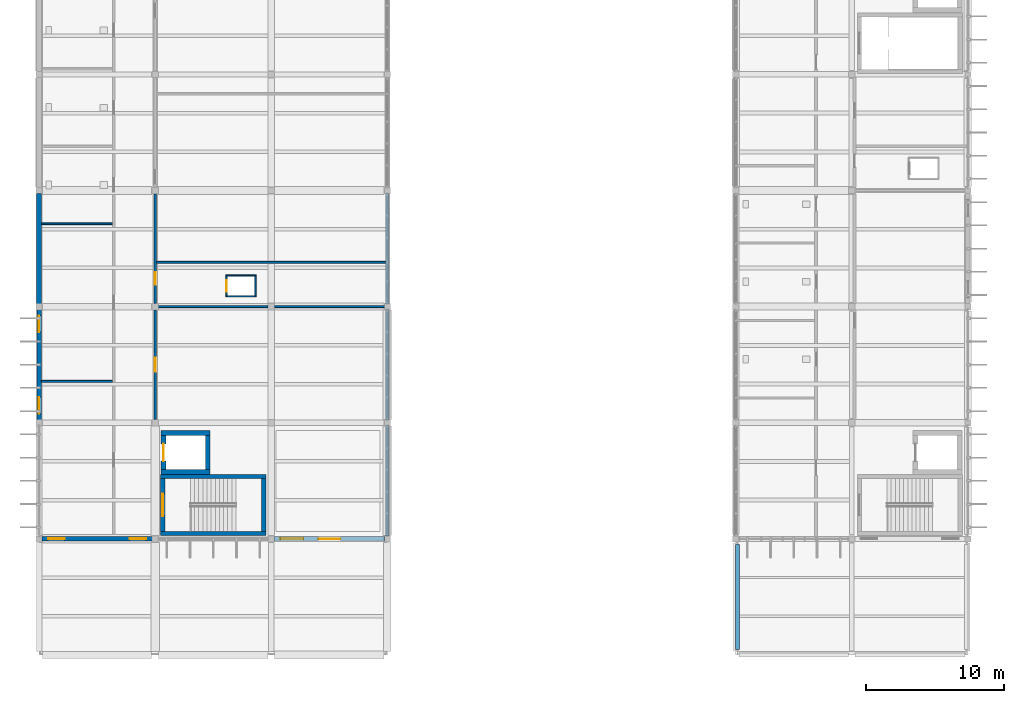
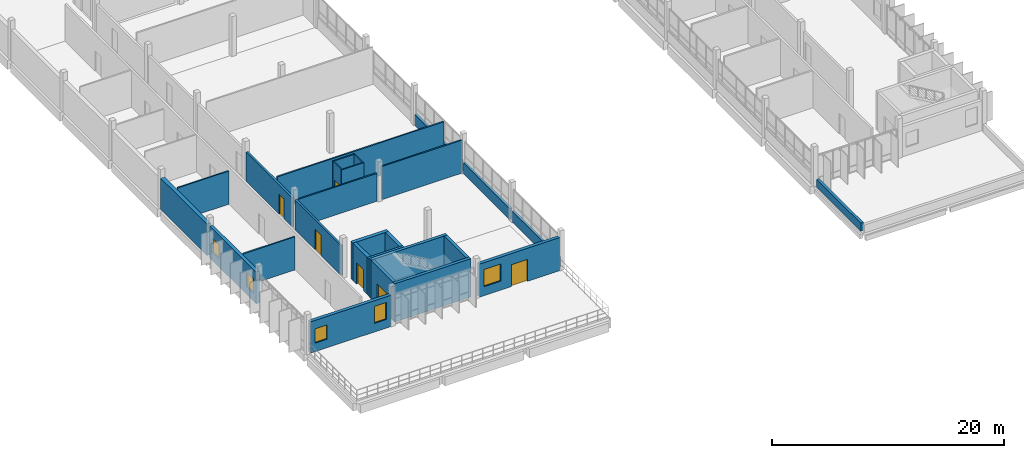
# One storey, part 50 of 62: 27 walls, 6 doors, 5 windows, 11 openings.
"""IFC4 building model written with IfcOpenShell, lengths in metres."""

from ifc_helpers import new_model, si_unit, direction, frame, frame_2d, origin, place, context, subcontext, project, spatial, rectangle, extrude, material, layer, layer_set, type_object, element, fill, save


model = new_model("IFC4")

# Units and contexts
model_context = context("Model", 3, precision=1e-05, world=origin(), true_north=direction((0.0, 1.0)))
body_context = subcontext(model_context, "Body", "Model", "MODEL_VIEW")
ifc_project = project(units=[si_unit("LENGTHUNIT", "METRE"), si_unit("AREAUNIT", "SQUARE_METRE"), si_unit("VOLUMEUNIT", "CUBIC_METRE"), si_unit("PLANEANGLEUNIT", "RADIAN"), si_unit("MASSUNIT", "GRAM", prefix="KILO")], contexts=[model_context])

# Site, building, storey
site_placement = place(None, origin())
site = spatial("IfcSite", under=ifc_project, at=site_placement, CompositionType="ELEMENT")
building_placement = place(site_placement, origin())
building = spatial("IfcBuilding", under=site, at=building_placement, Name="Vireocrest Preparatory School", CompositionType="ELEMENT")
storey_placement = place(building_placement, frame((0.0, 0.0, 17.39990234375)))
storey = spatial("IfcBuildingStorey", under=building, at=storey_placement, Name="L04", CompositionType="ELEMENT", Elevation=17.39990234375)

# Walls
ifc_material_1 = material(Name="Gypsum board on cold-formed steel studs", Category="steel")
ifc_layer_1 = layer(ifc_material_1, 0.139892578125)
ifc_layer_set_1 = layer_set([ifc_layer_1], Name="Gypsum board on cold-formed steel studs")
wall_type_1 = type_object("IfcWallType", Name="Classroom Acoustic Partition Wall 140", PredefinedType="PARTITIONING", material=ifc_layer_set_1)
wall_1_placement = place(storey_placement, frame((42.1650390625, 55.199951171875, 0.0), z_axis=(0.0, 0.0, 1.0), x_axis=(1.0, 0.0, 0.0)))
element("IfcWall", 1, at=wall_1_placement, inside=storey, type_object=wall_type_1, Name="Interior Partition W03 IW_L04_0290", PredefinedType="PARTITIONING", context=body_context, shape_type="SweptSolid", body=[
    extrude(rectangle(XDim=5.1298828125, YDim=0.139892578125, at=frame_2d((2.56494140625, 0.0))), origin(), (0.0, 0.0, 1.0), 3.489990234375),
])
wall_2_placement = place(storey_placement, frame((42.195068359375, 66.60009765625, 0.0), z_axis=(0.0, 0.0, 1.0), x_axis=(1.0, 0.0, 0.0)))
element("IfcWall", 2, at=wall_2_placement, inside=storey, type_object=wall_type_1, Name="Interior Partition W03 IW_L04_0291", PredefinedType="PARTITIONING", context=body_context, shape_type="SweptSolid", body=[
    extrude(rectangle(XDim=5.099853515625, YDim=0.139892578125, at=frame_2d((2.5498046875, 0.0))), origin(), (0.0, 0.0, 1.0), 3.489990234375),
])
wall_3_placement = place(storey_placement, frame((50.5048828125, 60.60009765625, 0.0), z_axis=(0.0, 0.0, 1.0), x_axis=(1.0, 0.0, 0.0)))
element("IfcWall", 3, at=wall_3_placement, inside=storey, type_object=wall_type_1, Name="Interior Partition W03 IW_L04_0296", PredefinedType="PARTITIONING", context=body_context, shape_type="SweptSolid", body=[
    extrude(rectangle(XDim=8.06005859375, YDim=0.139892578125, at=frame_2d((4.030029296875, 0.0))), origin(), (0.0, 0.0, 1.0), 2.940185546875),
])
wall_4_placement = place(storey_placement, frame((59.034912109375, 60.60009765625, 0.0), z_axis=(0.0, 0.0, 1.0), x_axis=(1.0, 0.0, 0.0)))
element("IfcWall", 4, at=wall_4_placement, inside=storey, type_object=wall_type_1, Name="Interior Partition W03 IW_L04_0297", PredefinedType="PARTITIONING", context=body_context, shape_type="SweptSolid", body=[
    extrude(rectangle(XDim=8.0400390625, YDim=0.139892578125, at=frame_2d((4.02001953125, 0.0))), origin(), (0.0, 0.0, 1.0), 3.47998046875),
])
wall_5_placement = place(storey_placement, frame((50.5048828125, 63.800048828125, 0.0), z_axis=(0.0, 0.0, 1.0), x_axis=(1.0, 0.0, 0.0)))
element("IfcWall", 5, at=wall_5_placement, inside=storey, type_object=wall_type_1, Name="Interior Partition W03 IW_L04_0298", PredefinedType="PARTITIONING", context=body_context, shape_type="SweptSolid", body=[
    extrude(rectangle(XDim=16.570068359375, YDim=0.139892578125, at=frame_2d((8.28515625, 0.0))), origin(), (0.0, 0.0, 1.0), 3.451171875),
])

# Wall, opening, door
ifc_layer_2 = layer(ifc_material_1, 0.199951171875)
ifc_layer_set_2 = layer_set([ifc_layer_2], Name="Gypsum board on cold-formed steel studs")
wall_type_2 = type_object("IfcWallType", Name="Corridor One-Hour Fire Partition 200", PredefinedType="PARTITIONING", material=ifc_layer_set_2)
wall_6_placement = place(storey_placement, frame((50.39990234375, 52.43505859375, 0.0), z_axis=(0.0, 0.0, 1.0), x_axis=(0.0, 1.0, 0.0)))
wall_6 = element("IfcWall", 6, at=wall_6_placement, inside=storey, type_object=wall_type_2, Name="Interior Partition W06 IW_L04_0301", PredefinedType="PARTITIONING", context=body_context, shape_type="SweptSolid", body=[
    extrude(rectangle(XDim=7.929931640625, YDim=0.199951171875, at=frame_2d((3.96484375, 0.0))), origin(), (0.0, 0.0, 1.0), 3.14013671875),
])
opening_1_placement = place(wall_6_placement, frame((3.465087890625, 0.0, 0.0)))
opening_1 = element("IfcOpeningElement", 7, at=opening_1_placement, cuts=wall_6, Name="Opening D-L04-W4E01", PredefinedType="OPENING", context=body_context, shape_type="SweptSolid", body=[
    extrude(rectangle(XDim=1.0, YDim=2.14990234375, at=frame_2d((0.5, 1.074951171875))), frame((0.0, 0.10986328125, 0.0), z_axis=(0.0, -1.0, 0.0), x_axis=(1.0, 0.0, 0.0)), (0.0, 0.0, 1.0), 0.219970703125),
])
ifc_material_2 = material(Name="Solid-core architectural birch timber", Category="wood")
door_type_1 = type_object("IfcDoorType", Name="Classroom Acoustic Timber Door 1000x2150", OperationType="NOTDEFINED", PredefinedType="DOOR", material=ifc_material_2)
door_1_placement = place(opening_1_placement, origin())
door_1 = element("IfcDoor", 8, at=door_1_placement, inside=storey, type_object=door_type_1, Name="Interior Door D-L04-W4E01", OperationType="SINGLE_SWING_RIGHT", OverallHeight=2.14990234375, OverallWidth=1.0, PredefinedType="DOOR", context=body_context, shape_type="SweptSolid", body=[
    extrude(rectangle(XDim=1.0, YDim=2.14990234375, at=frame_2d((0.5, 1.074951171875))), frame((0.0, 0.02490234375, 0.0), z_axis=(0.0, -1.0, 0.0), x_axis=(1.0, 0.0, 0.0)), (0.0, 0.0, 1.0), 0.050048828125),
])
fill(opening_1, door_1)

wall_7_placement = place(storey_placement, frame((50.39990234375, 60.8349609375, 0.0), z_axis=(0.0, 0.0, 1.0), x_axis=(0.0, 1.0, 0.0)))
wall_7 = element("IfcWall", 9, at=wall_7_placement, inside=storey, type_object=wall_type_2, Name="Interior Partition W06 IW_L04_0302", PredefinedType="PARTITIONING", context=body_context, shape_type="SweptSolid", body=[
    extrude(rectangle(XDim=7.929931640625, YDim=0.199951171875, at=frame_2d((3.96484375, 0.0))), origin(), (0.0, 0.0, 1.0), 3.090087890625),
])
opening_2_placement = place(wall_7_placement, frame((1.364990234375, 0.0, 0.0)))
opening_2 = element("IfcOpeningElement", 10, at=opening_2_placement, cuts=wall_7, Name="Opening D-L04-W4E02", PredefinedType="OPENING", context=body_context, shape_type="SweptSolid", body=[
    extrude(rectangle(XDim=0.89990234375, YDim=2.10009765625, at=frame_2d((0.449951171875, 1.050048828125))), frame((0.0, 0.10986328125, 0.0), z_axis=(0.0, -1.0, 0.0), x_axis=(1.0, 0.0, 0.0)), (0.0, 0.0, 1.0), 0.219970703125),
])
door_type_2 = type_object("IfcDoorType", Name="Office Timber Door 900x2100", OperationType="NOTDEFINED", PredefinedType="DOOR", material=ifc_material_2)
door_2_placement = place(opening_2_placement, origin())
door_2 = element("IfcDoor", 11, at=door_2_placement, inside=storey, type_object=door_type_2, Name="Interior Door D-L04-W4E02", OperationType="SINGLE_SWING_LEFT", OverallHeight=2.10009765625, OverallWidth=0.89990234375, PredefinedType="DOOR", context=body_context, shape_type="SweptSolid", body=[
    extrude(rectangle(XDim=0.89990234375, YDim=2.10009765625, at=frame_2d((0.449951171875, 1.050048828125))), frame((0.0, 0.02490234375, 0.0), z_axis=(0.0, -1.0, 0.0), x_axis=(1.0, 0.0, 0.0)), (0.0, 0.0, 1.0), 0.050048828125),
])
fill(opening_2, door_2)

# Wall, openings, windows
ifc_material_3 = material(Name="Precast white concrete 40 MPa", Category="concrete")
ifc_layer_3 = layer(ifc_material_3, 0.320068359375)
ifc_layer_set_3 = layer_set([ifc_layer_3], Name="Precast white concrete 40 MPa")
wall_type_3 = type_object("IfcWallType", Name="High-Tech Insulated Rainscreen External Wall 320", PredefinedType="SOLIDWALL", material=ifc_layer_set_3)
wall_8_placement = place(storey_placement, frame((42.0, 52.39990234375, 0.0), z_axis=(0.0, 0.0, 1.0), x_axis=(0.0, 1.0, 0.0)))
wall_8 = element("IfcWall", 12, at=wall_8_placement, inside=storey, type_object=wall_type_3, Name="External Wall W12 EW_L04_0369", PredefinedType="SOLIDWALL", context=body_context, shape_type="SweptSolid", body=[
    extrude(rectangle(XDim=8.0, YDim=0.320068359375, at=frame_2d((4.0, 0.0))), origin(), (0.0, 0.0, 1.0), 3.340087890625),
])
opening_3_placement = place(wall_8_placement, frame((0.449951171875, 0.0, 0.85009765625)))
opening_3 = element("IfcOpeningElement", 13, at=opening_3_placement, cuts=wall_8, Name="Opening WN01", PredefinedType="OPENING", context=body_context, shape_type="SweptSolid", body=[
    extrude(rectangle(XDim=1.199951171875, YDim=1.5, at=frame_2d((0.60009765625, 0.75))), frame((0.0, 0.169921875, 0.0), z_axis=(0.0, -1.0, 0.0), x_axis=(1.0, 0.0, 0.0)), (0.0, 0.0, 1.0), 0.340087890625),
])
opening_4_placement = place(wall_8_placement, frame((6.35009765625, 0.0, 0.85009765625)))
opening_4 = element("IfcOpeningElement", 14, at=opening_4_placement, cuts=wall_8, Name="Opening WN01", PredefinedType="OPENING", context=body_context, shape_type="SweptSolid", body=[
    extrude(rectangle(XDim=1.199951171875, YDim=1.5, at=frame_2d((0.60009765625, 0.75))), frame((0.0, 0.169921875, 0.0), z_axis=(0.0, -1.0, 0.0), x_axis=(1.0, 0.0, 0.0)), (0.0, 0.0, 1.0), 0.340087890625),
])
ifc_material_4 = material(Name="Thermally broken aluminium EN AW-6063-T6", Category="aluminium")
window_type_1 = type_object("IfcWindowType", Name="Office Punched Window 1200x1500", PartitioningType="SINGLE_PANEL", PredefinedType="WINDOW", material=ifc_material_4)
window_1_placement = place(opening_3_placement, origin())
window_1 = element("IfcWindow", 15, at=window_1_placement, inside=storey, type_object=window_type_1, Name="Window W-L04-187 (WN01)", OverallHeight=1.5, OverallWidth=1.199951171875, PartitioningType="SINGLE_PANEL", PredefinedType="WINDOW", context=body_context, shape_type="SweptSolid", body=[
    extrude(rectangle(XDim=1.199951171875, YDim=1.5, at=frame_2d((0.60009765625, 0.75))), frame((0.0, 0.030029296875, 0.0), z_axis=(0.0, -1.0, 0.0), x_axis=(1.0, 0.0, 0.0)), (0.0, 0.0, 1.0), 0.06005859375),
])
fill(opening_3, window_1)
window_2_placement = place(opening_4_placement, origin())
window_2 = element("IfcWindow", 16, at=window_2_placement, inside=storey, type_object=window_type_1, Name="Window W-L04-188 (WN01)", OverallHeight=1.5, OverallWidth=1.199951171875, PartitioningType="SINGLE_PANEL", PredefinedType="WINDOW", context=body_context, shape_type="SweptSolid", body=[
    extrude(rectangle(XDim=1.199951171875, YDim=1.5, at=frame_2d((0.60009765625, 0.75))), frame((0.0, 0.030029296875, 0.0), z_axis=(0.0, -1.0, 0.0), x_axis=(1.0, 0.0, 0.0)), (0.0, 0.0, 1.0), 0.06005859375),
])
fill(opening_4, window_2)

wall_9_placement = place(storey_placement, frame((42.199951171875, 43.800048828125, 0.0), z_axis=(0.0, 0.0, 1.0), x_axis=(1.0, 0.0, 0.0)))
wall_9 = element("IfcWall", 17, at=wall_9_placement, inside=storey, type_object=wall_type_3, Name="External Wall W12 EW_L04_0373", PredefinedType="SOLIDWALL", context=body_context, shape_type="SweptSolid", body=[
    extrude(rectangle(XDim=8.0, YDim=0.320068359375, at=frame_2d((4.0, 0.0))), origin(), (0.0, 0.0, 1.0), 3.2900390625),
])
opening_5_placement = place(wall_9_placement, frame((0.449951171875, 0.0, 0.89990234375)))
opening_5 = element("IfcOpeningElement", 18, at=opening_5_placement, cuts=wall_9, Name="Opening WN01", PredefinedType="OPENING", context=body_context, shape_type="SweptSolid", body=[
    extrude(rectangle(XDim=1.199951171875, YDim=1.5, at=frame_2d((0.60009765625, 0.75))), frame((0.0, 0.169921875, 0.0), z_axis=(0.0, -1.0, 0.0), x_axis=(1.0, 0.0, 0.0)), (0.0, 0.0, 1.0), 0.340087890625),
])
opening_6_placement = place(wall_9_placement, frame((6.35009765625, 0.0, 0.89990234375)))
opening_6 = element("IfcOpeningElement", 19, at=opening_6_placement, cuts=wall_9, Name="Opening WN02", PredefinedType="OPENING", context=body_context, shape_type="SweptSolid", body=[
    extrude(rectangle(XDim=1.199951171875, YDim=1.800048828125, at=frame_2d((0.60009765625, 0.89990234375))), frame((0.0, 0.169921875, 0.0), z_axis=(0.0, -1.0, 0.0), x_axis=(1.0, 0.0, 0.0)), (0.0, 0.0, 1.0), 0.340087890625),
])
window_type_2 = type_object("IfcWindowType", Name="Counseling Window 1200x1800", PartitioningType="SINGLE_PANEL", PredefinedType="WINDOW", material=ifc_material_4)
window_3_placement = place(opening_6_placement, origin())
window_3 = element("IfcWindow", 20, at=window_3_placement, inside=storey, type_object=window_type_2, Name="Window W-L04-190 (WN02)", OverallHeight=1.800048828125, OverallWidth=1.199951171875, PartitioningType="SINGLE_PANEL", PredefinedType="WINDOW", context=body_context, shape_type="SweptSolid", body=[
    extrude(rectangle(XDim=1.199951171875, YDim=1.800048828125, at=frame_2d((0.60009765625, 0.89990234375))), frame((0.0, 0.030029296875, 0.0), z_axis=(0.0, -1.0, 0.0), x_axis=(1.0, 0.0, 0.0)), (0.0, 0.0, 1.0), 0.06005859375),
])
fill(opening_6, window_3)
window_4_placement = place(opening_5_placement, origin())
window_4 = element("IfcWindow", 21, at=window_4_placement, inside=storey, type_object=window_type_1, Name="Window W-L04-189 (WN01)", OverallHeight=1.5, OverallWidth=1.199951171875, PartitioningType="SINGLE_PANEL", PredefinedType="WINDOW", context=body_context, shape_type="SweptSolid", body=[
    extrude(rectangle(XDim=1.199951171875, YDim=1.5, at=frame_2d((0.60009765625, 0.75))), frame((0.0, 0.030029296875, 0.0), z_axis=(0.0, -1.0, 0.0), x_axis=(1.0, 0.0, 0.0)), (0.0, 0.0, 1.0), 0.06005859375),
])
fill(opening_5, window_4)

# Wall, openings, window, door
wall_10_placement = place(storey_placement, frame((59.0, 43.800048828125, 0.0), z_axis=(0.0, 0.0, 1.0), x_axis=(1.0, 0.0, 0.0)))
wall_10 = element("IfcWall", 22, at=wall_10_placement, inside=storey, type_object=wall_type_3, Name="External Wall W12 EW_L04_0375", PredefinedType="SOLIDWALL", context=body_context, shape_type="SweptSolid", body=[
    extrude(rectangle(XDim=8.0, YDim=0.320068359375, at=frame_2d((4.0, 0.0))), origin(), (0.0, 0.0, 1.0), 3.47998046875),
])
opening_7_placement = place(wall_10_placement, frame((4.800048828125, 0.0, 0.0), z_axis=(0.0, 0.0, 1.0), x_axis=(-1.0, 0.0, 0.0)))
opening_7 = element("IfcOpeningElement", 23, at=opening_7_placement, cuts=wall_10, Name="Opening TD-401", PredefinedType="OPENING", context=body_context, shape_type="SweptSolid", body=[
    extrude(rectangle(XDim=1.60009765625, YDim=2.300048828125, at=frame_2d((0.800048828125, 1.14990234375))), frame((0.0, 0.169921875, 0.0), z_axis=(0.0, -1.0, 0.0), x_axis=(1.0, 0.0, 0.0)), (0.0, 0.0, 1.0), 0.340087890625),
])
opening_8_placement = place(wall_10_placement, frame((0.449951171875, 0.0, 0.949951171875)))
opening_8 = element("IfcOpeningElement", 24, at=opening_8_placement, cuts=wall_10, Name="Opening WN05", PredefinedType="OPENING", context=body_context, shape_type="SweptSolid", body=[
    extrude(rectangle(XDim=1.679931640625, YDim=1.800048828125, at=frame_2d((0.83984375, 0.89990234375))), frame((0.0, 0.169921875, 0.0), z_axis=(0.0, -1.0, 0.0), x_axis=(1.0, 0.0, 0.0)), (0.0, 0.0, 1.0), 0.340087890625),
])
window_type_3 = type_object("IfcWindowType", Name="Module Classroom Window 1680x1800", PartitioningType="SINGLE_PANEL", PredefinedType="WINDOW", material=ifc_material_4)
window_5_placement = place(opening_8_placement, origin())
window_5 = element("IfcWindow", 25, at=window_5_placement, inside=storey, type_object=window_type_3, Name="Window W-L04-191 (WN05)", OverallHeight=1.800048828125, OverallWidth=1.679931640625, PartitioningType="SINGLE_PANEL", PredefinedType="WINDOW", context=body_context, shape_type="SweptSolid", body=[
    extrude(rectangle(XDim=1.679931640625, YDim=1.800048828125, at=frame_2d((0.83984375, 0.89990234375))), frame((0.0, 0.030029296875, 0.0), z_axis=(0.0, -1.0, 0.0), x_axis=(1.0, 0.0, 0.0)), (0.0, 0.0, 1.0), 0.06005859375),
])
fill(opening_8, window_5)
ifc_material_5 = material(Name="Thermally broken glazed aluminium", Category="aluminium")
door_type_3 = type_object("IfcDoorType", Name="Terrace Glazed Double Door 1600x2300", OperationType="DOUBLE_DOOR_SINGLE_SWING", PredefinedType="DOOR", material=ifc_material_5)
door_3_placement = place(opening_7_placement, origin())
door_3 = element("IfcDoor", 26, at=door_3_placement, inside=storey, type_object=door_type_3, Name="Fourth-Floor Senior Terrace Door TD-401", OperationType="DOUBLE_DOOR_SINGLE_SWING", OverallHeight=2.300048828125, OverallWidth=1.60009765625, PredefinedType="DOOR", context=body_context, shape_type="SweptSolid", body=[
    extrude(rectangle(XDim=1.60009765625, YDim=2.300048828125, at=frame_2d((0.800048828125, 1.14990234375))), frame((0.0, 0.02490234375, 0.0), z_axis=(0.0, -1.0, 0.0), x_axis=(1.0, 0.0, 0.0)), (0.0, 0.0, 1.0), 0.050048828125),
])
fill(opening_7, door_3)

# Walls
ifc_layer_4 = layer(ifc_material_3, 0.260009765625)
ifc_layer_set_4 = layer_set([ifc_layer_4], Name="Precast white concrete 40 MPa")
wall_type_4 = type_object("IfcWallType", Name="Insulated Roof Parapet Wall 260", PredefinedType="PARAPET", material=ifc_layer_set_4)
wall_11_placement = place(storey_placement, frame((92.530029296875, 35.7900390625, 0.0), z_axis=(0.0, 0.0, 1.0), x_axis=(0.0, 1.0, 0.0)))
element("IfcWall", 27, at=wall_11_placement, inside=storey, type_object=wall_type_4, Name="Roof Parapet W09 L04_EAST_SETBACK_ROOF-18", PredefinedType="PARAPET", context=body_context, shape_type="SweptSolid", body=[
    extrude(rectangle(XDim=7.619873046875, YDim=0.260009765625, at=frame_2d((3.81005859375, 0.0))), origin(), (0.0, 0.0, 1.0), 0.85009765625),
])
ifc_layer_5 = layer(ifc_material_1, 0.10009765625)
ifc_layer_set_5 = layer_set([ifc_layer_5], Name="Gypsum board on cold-formed steel studs")
wall_type_5 = type_object("IfcWallType", Name="Riser Shaft Lining Wall 100", PredefinedType="PARTITIONING", material=ifc_layer_set_5)
for number, where, z_axis, x_axis, name in (
    (28, (55.5, 61.35009765625, 0.0), (0.0, 0.0, 1.0), (1.0, 0.0, 0.0), "MEP Riser Shaft Wall W01 WEST_MEP-L04-S"),
    (29, (55.5, 62.85009765625, 0.0), (0.0, 0.0, 1.0), (1.0, 0.0, 0.0), "MEP Riser Shaft Wall W01 WEST_MEP-L04-N"),
):
    element("IfcWall", number, at=place(storey_placement, frame(where, z_axis=z_axis, x_axis=x_axis)), inside=storey, type_object=wall_type_5, Name=name, PredefinedType="PARTITIONING", context=body_context, shape_type="SweptSolid", body=[
        extrude(rectangle(XDim=2.199951171875, YDim=0.10009765625, at=frame_2d((1.10009765625, 0.0))), origin(), (0.0, 0.0, 1.0), 3.900146484375),
    ])

# Wall, opening, door
wall_12_placement = place(storey_placement, frame((55.550048828125, 61.39990234375, 0.0), z_axis=(0.0, 0.0, 1.0), x_axis=(0.0, 1.0, 0.0)))
wall_12 = element("IfcWall", 30, at=wall_12_placement, inside=storey, type_object=wall_type_5, Name="MEP Riser Shaft Wall W01 WEST_MEP-L04-W", PredefinedType="PARTITIONING", context=body_context, shape_type="SweptSolid", body=[
    extrude(rectangle(XDim=1.400146484375, YDim=0.10009765625, at=frame_2d((0.7001953125, 0.0))), origin(), (0.0, 0.0, 1.0), 3.900146484375),
])
opening_9_placement = place(wall_12_placement, frame((0.27490234375, 0.0, 0.0)))
opening_9 = element("IfcOpeningElement", 31, at=opening_9_placement, cuts=wall_12, Name="Opening D-L04-RSW", PredefinedType="OPENING", context=body_context, shape_type="SweptSolid", body=[
    extrude(rectangle(XDim=0.85009765625, YDim=2.050048828125, at=frame_2d((0.425048828125, 1.02490234375))), frame((0.0, 0.06005859375, 0.0), z_axis=(0.0, -1.0, 0.0), x_axis=(1.0, 0.0, 0.0)), (0.0, 0.0, 1.0), 0.1201171875),
])
ifc_material_6 = material(Name="Painted galvanized hollow steel", Category="steel")
door_type_4 = type_object("IfcDoorType", Name="Riser Access Steel Door 850x2050", OperationType="NOTDEFINED", PredefinedType="DOOR", material=ifc_material_6)
door_4_placement = place(opening_9_placement, origin())
door_4 = element("IfcDoor", 32, at=door_4_placement, inside=storey, type_object=door_type_4, Name="Riser Shaft Access Door D-L04-RSW", OperationType="SINGLE_SWING_LEFT", OverallHeight=2.050048828125, OverallWidth=0.85009765625, PredefinedType="DOOR", context=body_context, shape_type="SweptSolid", body=[
    extrude(rectangle(XDim=0.85009765625, YDim=2.050048828125, at=frame_2d((0.425048828125, 1.02490234375))), frame((0.0, 0.02490234375, 0.0), z_axis=(0.0, -1.0, 0.0), x_axis=(1.0, 0.0, 0.0)), (0.0, 0.0, 1.0), 0.050048828125),
])
fill(opening_9, door_4)

# Walls
wall_13_placement = place(storey_placement, frame((57.64990234375, 61.39990234375, 0.0), z_axis=(0.0, 0.0, 1.0), x_axis=(0.0, 1.0, 0.0)))
element("IfcWall", 33, at=wall_13_placement, inside=storey, type_object=wall_type_5, Name="MEP Riser Shaft Wall W01 WEST_MEP-L04-E", PredefinedType="PARTITIONING", context=body_context, shape_type="SweptSolid", body=[
    extrude(rectangle(XDim=1.400146484375, YDim=0.10009765625, at=frame_2d((0.7001953125, 0.0))), origin(), (0.0, 0.0, 1.0), 3.900146484375),
])
ifc_material_7 = material(Name="Concrete 45 MPa", Category="concrete")
ifc_layer_6 = layer(ifc_material_7, 0.35009765625)
ifc_layer_set_6 = layer_set([ifc_layer_6], Name="Concrete 45 MPa")
wall_type_6 = type_object("IfcWallType", Name="Two-Hour RC Lift Core Shear Wall 350", PredefinedType="SHEAR", material=ifc_layer_set_6)
for number, where, z_axis, x_axis, name in (
    (34, (50.824951171875, 48.64990234375, 0.0), (0.0, 0.0, 1.0), (1.0, 0.0, 0.0), "Lift Core Shear Wall LF1 L04-S"),
    (35, (50.824951171875, 51.449951171875, 0.0), (0.0, 0.0, 1.0), (1.0, 0.0, 0.0), "Lift Core Shear Wall LF1 L04-N"),
):
    element("IfcWall", number, at=place(storey_placement, frame(where, z_axis=z_axis, x_axis=x_axis)), inside=storey, type_object=wall_type_6, Name=name, PredefinedType="SHEAR", context=body_context, shape_type="SweptSolid", body=[
        extrude(rectangle(XDim=3.550048828125, YDim=0.35009765625, at=frame_2d((1.77490234375, 0.0))), origin(), (0.0, 0.0, 1.0), 3.920166015625),
    ])

# Wall, opening, door
wall_14_placement = place(storey_placement, frame((51.0, 48.824951171875, 0.0), z_axis=(0.0, 0.0, 1.0), x_axis=(0.0, 1.0, 0.0)))
wall_14 = element("IfcWall", 36, at=wall_14_placement, inside=storey, type_object=wall_type_6, Name="Lift Core Shear Wall LF1 L04-W", PredefinedType="SHEAR", context=body_context, shape_type="SweptSolid", body=[
    extrude(rectangle(XDim=2.449951171875, YDim=0.35009765625, at=frame_2d((1.22509765625, 0.0))), origin(), (0.0, 0.0, 1.0), 3.920166015625),
])
opening_10_placement = place(wall_14_placement, frame((0.60009765625, 0.0, 0.0)))
opening_10 = element("IfcOpeningElement", 37, at=opening_10_placement, cuts=wall_14, Name="Opening LD-LF1-L04", PredefinedType="OPENING", context=body_context, shape_type="SweptSolid", body=[
    extrude(rectangle(XDim=1.25, YDim=2.25, at=frame_2d((0.625, 1.125))), frame((0.0, 0.18505859375, 0.0), z_axis=(0.0, -1.0, 0.0), x_axis=(1.0, 0.0, 0.0)), (0.0, 0.0, 1.0), 0.3701171875),
])
door_type_5 = type_object("IfcDoorType", Name="Stretcher Lift Landing Sliding Door 1250x2250", OperationType="DOUBLE_DOOR_SLIDING", PredefinedType="DOOR", material=ifc_material_6)
door_5_placement = place(opening_10_placement, origin())
door_5 = element("IfcDoor", 38, at=door_5_placement, inside=storey, type_object=door_type_5, Name="Lift Landing Door LD-LF1-L04", OperationType="DOUBLE_DOOR_SLIDING", OverallHeight=2.25, OverallWidth=1.25, PredefinedType="DOOR", context=body_context, shape_type="SweptSolid", body=[
    extrude(rectangle(XDim=1.25, YDim=2.25, at=frame_2d((0.625, 1.125))), frame((0.0, 0.02490234375, 0.0), z_axis=(0.0, -1.0, 0.0), x_axis=(1.0, 0.0, 0.0)), (0.0, 0.0, 1.0), 0.050048828125),
])
fill(opening_10, door_5)

# Walls
wall_15_placement = place(storey_placement, frame((54.199951171875, 48.824951171875, 0.0), z_axis=(0.0, 0.0, 1.0), x_axis=(0.0, 1.0, 0.0)))
element("IfcWall", 39, at=wall_15_placement, inside=storey, type_object=wall_type_6, Name="Lift Core Shear Wall LF1 L04-E", PredefinedType="SHEAR", context=body_context, shape_type="SweptSolid", body=[
    extrude(rectangle(XDim=2.449951171875, YDim=0.35009765625, at=frame_2d((1.22509765625, 0.0))), origin(), (0.0, 0.0, 1.0), 3.920166015625),
])
ifc_layer_7 = layer(ifc_material_7, 0.3798828125)
ifc_layer_set_7 = layer_set([ifc_layer_7], Name="Concrete 45 MPa")
wall_type_7 = type_object("IfcWallType", Name="Two-Hour RC Lot-Line Shear Wall 380", PredefinedType="SHEAR", material=ifc_layer_set_7)
wall_16_placement = place(storey_placement, frame((42.0, 60.800048828125, 0.0), z_axis=(0.0, 0.0, 1.0), x_axis=(0.0, 1.0, 0.0)))
element("IfcWall", 40, at=wall_16_placement, inside=storey, type_object=wall_type_7, Name="External Wall PW1 PARTY_L04_0370", PredefinedType="SHEAR", context=body_context, shape_type="SweptSolid", body=[
    extrude(rectangle(XDim=8.0, YDim=0.3798828125, at=frame_2d((4.0, 0.0))), origin(), (0.0, 0.0, 1.0), 3.2900390625),
])
ifc_layer_8 = layer(ifc_material_7, 0.300048828125)
ifc_layer_set_8 = layer_set([ifc_layer_8], Name="Concrete 45 MPa")
wall_type_8 = type_object("IfcWallType", Name="Two-Hour RC Stair Shaft Shear Wall 300", PredefinedType="SHEAR", material=ifc_layer_set_8)
for number, where, z_axis, x_axis, name in (
    (41, (50.800048828125, 44.199951171875, 0.0), (0.0, 0.0, 1.0), (1.0, 0.0, 0.0), "Stair Core Shear Wall ST1 L04-S"),
    (42, (50.800048828125, 48.300048828125, 0.0), (0.0, 0.0, 1.0), (1.0, 0.0, 0.0), "Stair Core Shear Wall ST1 L04-N"),
):
    element("IfcWall", number, at=place(storey_placement, frame(where, z_axis=z_axis, x_axis=x_axis)), inside=storey, type_object=wall_type_8, Name=name, PredefinedType="SHEAR", context=body_context, shape_type="SweptSolid", body=[
        extrude(rectangle(XDim=7.599853515625, YDim=0.300048828125, at=frame_2d((3.7998046875, 0.0))), origin(), (0.0, 0.0, 1.0), 4.025146484375),
    ])

# Wall, opening, door
wall_17_placement = place(storey_placement, frame((50.949951171875, 44.35009765625, 0.0), z_axis=(0.0, 0.0, 1.0), x_axis=(0.0, 1.0, 0.0)))
wall_17 = element("IfcWall", 43, at=wall_17_placement, inside=storey, type_object=wall_type_8, Name="Stair Core Shear Wall ST1 L04-W", PredefinedType="SHEAR", context=body_context, shape_type="SweptSolid", body=[
    extrude(rectangle(XDim=3.7998046875, YDim=0.300048828125, at=frame_2d((1.89990234375, 0.0))), origin(), (0.0, 0.0, 1.0), 4.025146484375),
])
opening_11_placement = place(wall_17_placement, frame((1.10009765625, 0.0, 0.0)))
opening_11 = element("IfcOpeningElement", 44, at=opening_11_placement, cuts=wall_17, Name="Opening SD-ST1-L04", PredefinedType="OPENING", context=body_context, shape_type="SweptSolid", body=[
    extrude(rectangle(XDim=1.60009765625, YDim=2.199951171875, at=frame_2d((0.800048828125, 1.10009765625))), frame((0.0, 0.159912109375, 0.0), z_axis=(0.0, -1.0, 0.0), x_axis=(1.0, 0.0, 0.0)), (0.0, 0.0, 1.0), 0.320068359375),
])
door_type_6 = type_object("IfcDoorType", Name="Stair Core Lobby Fire Door 1600x2200", OperationType="DOUBLE_DOOR_SINGLE_SWING", PredefinedType="DOOR", material=ifc_material_6)
door_6_placement = place(opening_11_placement, origin())
door_6 = element("IfcDoor", 45, at=door_6_placement, inside=storey, type_object=door_type_6, Name="Stair Enclosure Fire Door SD-ST1-L04", OperationType="DOUBLE_DOOR_SINGLE_SWING", OverallHeight=2.199951171875, OverallWidth=1.60009765625, PredefinedType="DOOR", context=body_context, shape_type="SweptSolid", body=[
    extrude(rectangle(XDim=1.60009765625, YDim=2.199951171875, at=frame_2d((0.800048828125, 1.10009765625))), frame((0.0, 0.02490234375, 0.0), z_axis=(0.0, -1.0, 0.0), x_axis=(1.0, 0.0, 0.0)), (0.0, 0.0, 1.0), 0.050048828125),
])
fill(opening_11, door_6)

# Walls
wall_18_placement = place(storey_placement, frame((58.25, 44.35009765625, 0.0), z_axis=(0.0, 0.0, 1.0), x_axis=(0.0, 1.0, 0.0)))
element("IfcWall", 46, at=wall_18_placement, inside=storey, type_object=wall_type_8, Name="Stair Core Shear Wall ST1 L04-E", PredefinedType="SHEAR", context=body_context, shape_type="SweptSolid", body=[
    extrude(rectangle(XDim=3.7998046875, YDim=0.300048828125, at=frame_2d((1.89990234375, 0.0))), origin(), (0.0, 0.0, 1.0), 4.025146484375),
])
ifc_layer_9 = layer(ifc_material_3, 0.239990234375)
ifc_layer_set_9 = layer_set([ifc_layer_9], Name="Precast white concrete 40 MPa")
wall_type_9 = type_object("IfcWallType", Name="White Precast Courtyard Spandrel Wall 240", PredefinedType="SOLIDWALL", material=ifc_layer_set_9)
for number, where, z_axis, x_axis, name in (
    (47, (67.199951171875, 44.0, 0.0), (0.0, 0.0, 1.0), (0.0, 1.0, 0.0), "External Wall W08 EW_L04_0376"),
    (48, (67.199951171875, 52.39990234375, 0.0), (0.0, 0.0, 1.0), (0.0, 1.0, 0.0), "External Wall W08 EW_L04_0377"),
    (49, (67.199951171875, 60.800048828125, 0.0), (0.0, 0.0, 1.0), (0.0, 1.0, 0.0), "External Wall W08 EW_L04_0378"),
):
    element("IfcWall", number, at=place(storey_placement, frame(where, z_axis=z_axis, x_axis=x_axis)), inside=storey, type_object=wall_type_9, Name=name, PredefinedType="SOLIDWALL", context=body_context, shape_type="SweptSolid", body=[
        extrude(rectangle(XDim=8.0, YDim=0.239990234375, at=frame_2d((4.0, 0.0))), origin(), (0.0, 0.0, 1.0), 1.150146484375),
    ])

save(model, "model.ifc")
